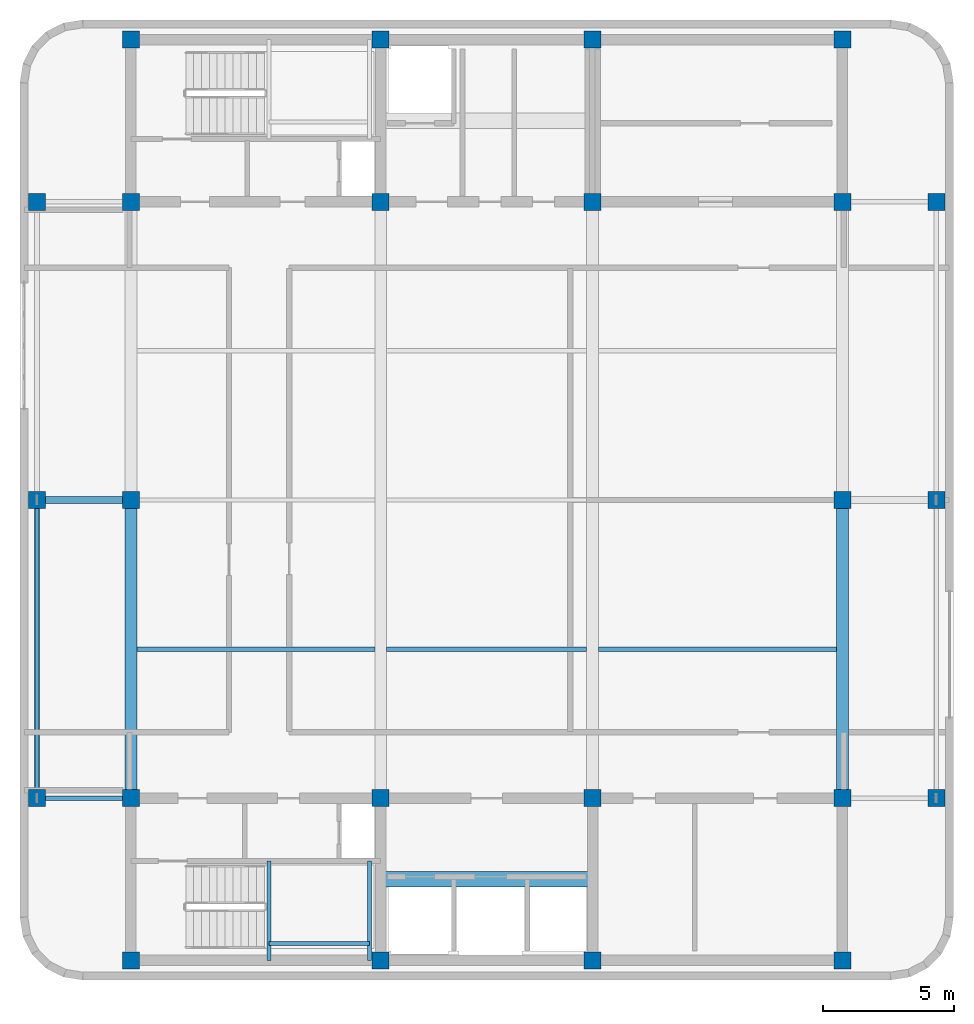
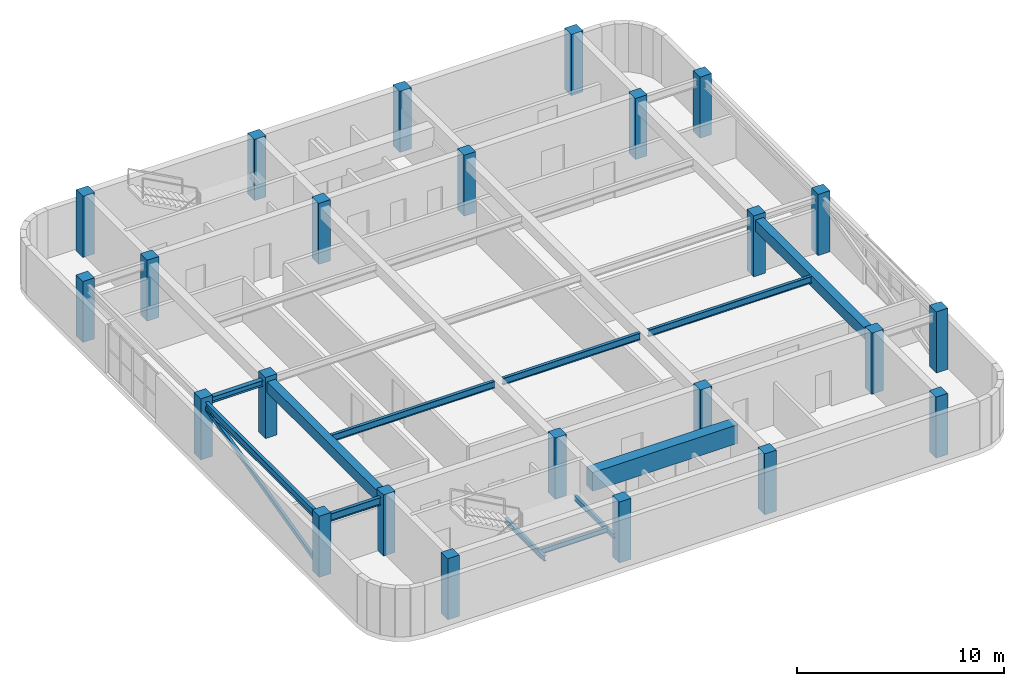
# One storey, part 1 of 9: 24 columns, 12 beams, 1 member.
"""IFC4 building model written with IfcOpenShell, lengths in metres."""

import ifcopenshell
import ifcopenshell.guid

model = None  # the IFC model being written
_history = None  # IfcOwnerHistory: only IFC2X3 demands one
_inside = {}  # id of a spatial element -> (the spatial element, [elements in it])
_under = {}  # id of a project, library or spatial element -> (it, [spatial elements below it])
_declared = {}  # id of a project -> (the project, [libraries it declares])
_typed = {}  # id of a type object -> (the type object, [elements of that type])
_made_of = {}  # id of a material, layer set ... -> (it, [elements and type objects made of it])


def new_model(schema):
    """Start an empty IFC model of exactly this schema.

    Asked for "IFC4X3", IfcOpenShell would pick the latest addendum, in which some entities
    have other attributes; the version numbers below select the first issue.
    IFC2X3 requires an IfcOwnerHistory on every rooted entity: one is made here for all.
    """
    global model, _history
    if schema == "IFC4X3":
        model = ifcopenshell.file(schema_version=(4, 3, 0, 0))
    else:
        model = ifcopenshell.file(schema=schema)
    _inside.clear()
    _under.clear()
    _declared.clear()
    _typed.clear()
    _made_of.clear()
    _history = None
    if model.schema == "IFC2X3":
        org = make("IfcOrganization", Name="unknown")
        user = make(
            "IfcPersonAndOrganization",
            ThePerson=make("IfcPerson", FamilyName="unknown"),
            TheOrganization=org,
        )
        app = make(
            "IfcApplication",
            ApplicationDeveloper=org,
            Version="unknown",
            ApplicationFullName="unknown",
            ApplicationIdentifier="unknown",
        )
        _history = make(
            "IfcOwnerHistory",
            OwningUser=user,
            OwningApplication=app,
            ChangeAction="ADDED",
            CreationDate=0,
        )
    return model


def make(cls, **values):
    """One entity of the class cls with the attributes given. An attribute that is None is left unset."""
    return model.create_entity(
        cls, **{name: value for name, value in values.items() if value is not None}
    )


def rooted(cls, **values):
    """An entity with a GlobalId (a new one), such as an element, a storey or a relation."""
    return make(cls, GlobalId=ifcopenshell.guid.new(), OwnerHistory=_history, **values)


def si_unit(unit_type, name, prefix=None):
    """IfcSIUnit, for example si_unit("LENGTHUNIT", "METRE", prefix="MILLI")."""
    return make("IfcSIUnit", UnitType=unit_type, Prefix=prefix, Name=name)


def assignment(units):
    """IfcUnitAssignment: the units of a project."""
    return None if units is None else make("IfcUnitAssignment", Units=units)


def point(xyz):
    """IfcCartesianPoint."""
    return None if xyz is None else make("IfcCartesianPoint", Coordinates=xyz)


def direction(xyz):
    """IfcDirection."""
    return None if xyz is None else make("IfcDirection", DirectionRatios=xyz)


def frame(location, z_axis=None, x_axis=None):
    """IfcAxis2Placement3D, a coordinate frame: its origin and axes. An axis left out is left unset."""
    return make(
        "IfcAxis2Placement3D",
        Location=point(location),
        Axis=direction(z_axis),
        RefDirection=direction(x_axis),
    )


def frame_2d(location, x_axis=None):
    """IfcAxis2Placement2D, a coordinate frame in the plane: its origin and x axis."""
    return make(
        "IfcAxis2Placement2D", Location=point(location), RefDirection=direction(x_axis)
    )


def origin():
    """The frame at (0, 0, 0) with its axes left unset."""
    return frame((0.0, 0.0, 0.0))


def origin_2d():
    """The frame at (0, 0) in the plane with its x axis left unset."""
    return frame_2d((0.0, 0.0))


def place(relative_to, where):
    """IfcLocalPlacement: puts the frame where relative to a parent placement (None: the world)."""
    return make(
        "IfcLocalPlacement", PlacementRelTo=relative_to, RelativePlacement=where
    )


def context(
    kind, dimensions, precision=None, world=None, true_north=None, identifier=None
):
    """IfcGeometricRepresentationContext, for example the 3D "Model" context."""
    return make(
        "IfcGeometricRepresentationContext",
        ContextIdentifier=identifier,
        ContextType=kind,
        CoordinateSpaceDimension=dimensions,
        Precision=precision,
        WorldCoordinateSystem=world,
        TrueNorth=true_north,
    )


def subcontext(parent, identifier, kind, view, scale=None):
    """IfcGeometricRepresentationSubContext, for example "Body" below "Model"."""
    return make(
        "IfcGeometricRepresentationSubContext",
        ContextIdentifier=identifier,
        ContextType=kind,
        ParentContext=parent,
        TargetScale=scale,
        TargetView=view,
    )


def project(units=None, contexts=None):
    """IfcProject with its units and contexts."""
    return rooted(
        "IfcProject",
        Name="project",
        RepresentationContexts=contexts,
        UnitsInContext=assignment(units),
    )


def spatial(cls, under=None, at=None, **own):
    """A site, building, storey or space (cls), placed at a placement, below another one or the project."""
    s = rooted(cls, ObjectPlacement=at, **own)
    if under is not None:
        _under.setdefault(under.id(), (under, []))[1].append(s)
    return s


def profile(cls, at=None, kind="AREA", **sizes):
    """A parametric profile (cls). Its sizes go by their IFC names, for example OverallWidth=200.0."""
    return make(cls, ProfileType=kind, Position=at, **sizes)


def rectangle(**sizes):
    """IfcRectangleProfileDef."""
    return profile("IfcRectangleProfileDef", **sizes)


def hollow_rectangle(**sizes):
    """IfcRectangleHollowProfileDef."""
    return profile("IfcRectangleHollowProfileDef", **sizes)


def i_section(**sizes):
    """IfcIShapeProfileDef."""
    return profile("IfcIShapeProfileDef", **sizes)


def extrude(swept, where, along, depth):
    """IfcExtrudedAreaSolid: the profile swept, set in the frame where, extruded along a direction by depth."""
    return make(
        "IfcExtrudedAreaSolid",
        SweptArea=swept,
        Position=where,
        ExtrudedDirection=direction(along),
        Depth=depth,
    )


def shape(context_of_items, identifier, shape_type, items):
    """IfcShapeRepresentation: the items that make up one representation, for example the "Body"."""
    return make(
        "IfcShapeRepresentation",
        ContextOfItems=context_of_items,
        RepresentationIdentifier=identifier,
        RepresentationType=shape_type,
        Items=items,
    )


def material(Name=None, Category=None):
    """IfcMaterial."""
    return make("IfcMaterial", Name=Name, Category=Category)


def material_profile(
    of_material, cross_section, Name=None, Category=None, Priority=None
):
    """IfcMaterialProfile: a cross section and its material."""
    return make(
        "IfcMaterialProfile",
        Name=Name,
        Material=of_material,
        Profile=cross_section,
        Priority=Priority,
        Category=Category,
    )


def profile_set(profiles, Name=None, composite=None):
    """IfcMaterialProfileSet."""
    return make(
        "IfcMaterialProfileSet",
        Name=Name,
        MaterialProfiles=profiles,
        CompositeProfile=composite,
    )


def made_of(thing, what):
    """Note that an element or type object is made of a material, layer set ...; save() writes the relation."""
    if what is not None:
        _made_of.setdefault(what.id(), (what, []))[1].append(thing)
    return thing


def type_object(cls, material=None, **own):
    """A type object (cls), such as IfcWallType, which elements share."""
    return made_of(rooted(cls, **own), material)


def element(
    cls,
    number,
    at=None,
    inside=None,
    cuts=None,
    type_object=None,
    material=None,
    context=None,
    identifier="Body",
    shape_type=None,
    held_by="IfcProductDefinitionShape",
    body=None,
    shapes=None,
    **own,
):
    """One element of the class cls, such as IfcWall. Its Tag is "e" and its number.

    at: its placement. inside: the storey or other place that contains it. cuts: it is an
    opening in that element (IfcRelVoidsElement). A single representation is given by context,
    identifier, shape_type and body (its items); several are given by shapes. held_by: the class
    of the entity that holds the representations. save() writes the other relations.
    """
    e = rooted(cls, Tag="e%d" % number, ObjectPlacement=at, **own)
    if body is not None:
        shapes = [shape(context, identifier, shape_type, body)]
    if shapes is not None:
        e.Representation = make(held_by, Representations=shapes)
    if inside is not None:
        _inside.setdefault(inside.id(), (inside, []))[1].append(e)
    if cuts is not None:
        rooted(
            "IfcRelVoidsElement", RelatingBuildingElement=cuts, RelatedOpeningElement=e
        )
    if type_object is not None:
        _typed.setdefault(type_object.id(), (type_object, []))[1].append(e)
    return made_of(e, material)


def aggregate(whole, parts):
    """IfcRelAggregates: a whole, such as a stair, and the parts it consists of."""
    return rooted("IfcRelAggregates", RelatingObject=whole, RelatedObjects=parts)


def save(model, path):
    """Write the relations noted so far, then the file.

    IfcRelAggregates (storeys below a building ...), IfcRelContainedInSpatialStructure (elements
    in a storey), IfcRelDefinesByType, IfcRelAssociatesMaterial and IfcRelDeclares: one each for
    every whole, place, type object, material and project.
    """
    for whole, parts in _under.values():
        aggregate(whole, parts)
    for where, things in _inside.values():
        rooted(
            "IfcRelContainedInSpatialStructure",
            RelatedElements=things,
            RelatingStructure=where,
        )
    for kind, things in _typed.values():
        rooted("IfcRelDefinesByType", RelatedObjects=things, RelatingType=kind)
    for what, things in _made_of.values():
        rooted("IfcRelAssociatesMaterial", RelatedObjects=things, RelatingMaterial=what)
    for by, libraries in _declared.values():
        rooted("IfcRelDeclares", RelatingContext=by, RelatedDefinitions=libraries)
    model.write(path)


model = new_model("IFC4")

# Units and contexts
model_context = context("Model", 3, precision=1e-05, world=origin(), true_north=direction((0.0, 1.0)))
body_context = subcontext(model_context, "Body", "Model", "MODEL_VIEW")
ifc_project = project(units=[si_unit("LENGTHUNIT", "METRE"), si_unit("AREAUNIT", "SQUARE_METRE"), si_unit("VOLUMEUNIT", "CUBIC_METRE"), si_unit("PLANEANGLEUNIT", "RADIAN"), si_unit("MASSUNIT", "GRAM", prefix="KILO")], contexts=[model_context])

# Site, building, storey
site_placement = place(None, origin())
site = spatial("IfcSite", under=ifc_project, at=site_placement, CompositionType="ELEMENT")
building_placement = place(site_placement, origin())
building = spatial("IfcBuilding", under=site, at=building_placement, Name="Svetorya Sky Lyceum", CompositionType="ELEMENT")
storey_placement = place(building_placement, frame((0.0, 0.0, 312.800048828125)))
storey = spatial("IfcBuildingStorey", under=building, at=storey_placement, Name="C04", CompositionType="ELEMENT", Elevation=312.800048828125)

# Columns
ifc_material_1 = material(Name="Concrete C40/50", Category="concrete")
ifc_material_profile_1 = material_profile(ifc_material_1, rectangle(XDim=0.64990234375, YDim=0.64990234375, at=origin_2d()), Name="RC COL 650x650")
ifc_profile_set_1 = profile_set([ifc_material_profile_1], Name="Concrete C40/50")
column_type = type_object("IfcColumnType", Name="COL-RC-650", PredefinedType="COLUMN", material=ifc_profile_set_1)
for number, where, z_axis, x_axis, name in (
    (1, (25.60009765625, 10.60009765625, 0.0), (0.0, 0.0, 1.0), (1.0, 0.0, 0.0), "C04 Core Column CS-11"),
    (2, (25.60009765625, 16.800048828125, 0.0), (0.0, 0.0, 1.0), (1.0, 0.0, 0.0), "C04 Core Column CS-12"),
    (3, (35.14990234375, 10.60009765625, 0.0), (0.0, 0.0, 1.0), (1.0, 0.0, 0.0), "C04 Core Column CS-21"),
    (4, (35.14990234375, 16.800048828125, 0.0), (0.0, 0.0, 1.0), (1.0, 0.0, 0.0), "C04 Core Column CS-22"),
    (5, (43.25, 10.60009765625, 0.0), (0.0, 0.0, 1.0), (1.0, 0.0, 0.0), "C04 Core Column CS-31"),
    (6, (43.25, 16.800048828125, 0.0), (0.0, 0.0, 1.0), (1.0, 0.0, 0.0), "C04 Core Column CS-32"),
    (7, (52.800048828125, 10.60009765625, 0.0), (0.0, 0.0, 1.0), (1.0, 0.0, 0.0), "C04 Core Column CS-41"),
    (8, (52.800048828125, 16.800048828125, 0.0), (0.0, 0.0, 1.0), (1.0, 0.0, 0.0), "C04 Core Column CS-42"),
    (9, (25.60009765625, 39.60009765625, 0.0), (0.0, 0.0, 1.0), (1.0, 0.0, 0.0), "C04 Core Column CN-11"),
    (10, (25.60009765625, 45.800048828125, 0.0), (0.0, 0.0, 1.0), (1.0, 0.0, 0.0), "C04 Core Column CN-12"),
    (11, (35.14990234375, 39.60009765625, 0.0), (0.0, 0.0, 1.0), (1.0, 0.0, 0.0), "C04 Core Column CN-21"),
    (12, (35.14990234375, 45.800048828125, 0.0), (0.0, 0.0, 1.0), (1.0, 0.0, 0.0), "C04 Core Column CN-22"),
    (13, (43.25, 39.60009765625, 0.0), (0.0, 0.0, 1.0), (1.0, 0.0, 0.0), "C04 Core Column CN-31"),
    (14, (43.25, 45.800048828125, 0.0), (0.0, 0.0, 1.0), (1.0, 0.0, 0.0), "C04 Core Column CN-32"),
    (15, (52.800048828125, 39.60009765625, 0.0), (0.0, 0.0, 1.0), (1.0, 0.0, 0.0), "C04 Core Column CN-41"),
    (16, (52.800048828125, 45.800048828125, 0.0), (0.0, 0.0, 1.0), (1.0, 0.0, 0.0), "C04 Core Column CN-42"),
    (17, (25.60009765625, 28.199951171875, 0.0), (0.0, 0.0, 1.0), (1.0, 0.0, 0.0), "C04 Core Column CM-W"),
    (18, (52.800048828125, 28.199951171875, 0.0), (0.0, 0.0, 1.0), (1.0, 0.0, 0.0), "C04 Core Column CM-E"),
    (19, (22.010009765625, 16.800048828125, 0.0), (0.0, 0.0, 1.0), (1.0, 0.0, 0.0), "C04 Perimeter Column W1"),
    (20, (56.389892578125, 16.800048828125, 0.0), (0.0, 0.0, 1.0), (1.0, 0.0, 0.0), "C04 Perimeter Column E1"),
    (21, (22.010009765625, 28.199951171875, 0.0), (0.0, 0.0, 1.0), (1.0, 0.0, 0.0), "C04 Perimeter Column W2"),
    (22, (56.389892578125, 28.199951171875, 0.0), (0.0, 0.0, 1.0), (1.0, 0.0, 0.0), "C04 Perimeter Column E2"),
    (23, (22.010009765625, 39.60009765625, 0.0), (0.0, 0.0, 1.0), (1.0, 0.0, 0.0), "C04 Perimeter Column W3"),
    (24, (56.389892578125, 39.60009765625, 0.0), (0.0, 0.0, 1.0), (1.0, 0.0, 0.0), "C04 Perimeter Column E3"),
):
    element("IfcColumn", number, at=place(storey_placement, frame(where, z_axis=z_axis, x_axis=x_axis)), inside=storey, type_object=column_type, Name=name, PredefinedType="COLUMN", context=body_context, shape_type="SweptSolid", body=[
        extrude(rectangle(XDim=0.64990234375, YDim=0.64990234375, at=origin_2d()), origin(), (0.0, 0.0, 1.0), 3.599853515625),
    ])

# Beams
ifc_material_2 = material(Name="Concrete C60/75", Category="concrete")
ifc_material_profile_2 = material_profile(ifc_material_2, rectangle(XDim=0.60009765625, YDim=1.10009765625, at=origin_2d()), Name="RC COUPLING 600x1100")
ifc_profile_set_2 = profile_set([ifc_material_profile_2], Name="Concrete C60/75")
beam_type_1 = type_object("IfcBeamType", Name="BM-CPL-1100", PredefinedType="LINTEL", material=ifc_profile_set_2)
beam_1_placement = place(storey_placement, frame((35.14990234375, 13.699951171875, 2.77001953125), z_axis=(1.0, 0.0, 0.0), x_axis=(0.0, 1.0, 0.0)))
element("IfcBeam", 25, at=beam_1_placement, inside=storey, type_object=beam_type_1, Name="C04 SC Core Coupling Beam", PredefinedType="LINTEL", context=body_context, shape_type="SweptSolid", body=[
    extrude(rectangle(XDim=0.60009765625, YDim=1.10009765625, at=origin_2d()), origin(), (0.0, 0.0, 1.0), 8.10009765625),
])
ifc_material_profile_3 = material_profile(ifc_material_1, rectangle(XDim=0.449951171875, YDim=0.64990234375, at=origin_2d()), Name="RC BEAM 450x650")
ifc_profile_set_3 = profile_set([ifc_material_profile_3], Name="Concrete C40/50")
beam_type_2 = type_object("IfcBeamType", Name="BM-RC-650", PredefinedType="BEAM", material=ifc_profile_set_3)
for number, where, z_axis, x_axis, name in (
    (26, (25.60009765625, 16.800048828125, 2.994873046875), (0.0, 1.0, 0.0), (-1.0, 0.0, 0.0), "C04 Central Bay Primary Girder CG-1A"),
    (27, (52.800048828125, 16.800048828125, 2.994873046875), (0.0, 1.0, 0.0), (-1.0, 0.0, 0.0), "C04 Central Bay Primary Girder CG-4A"),
):
    element("IfcBeam", number, at=place(storey_placement, frame(where, z_axis=z_axis, x_axis=x_axis)), inside=storey, type_object=beam_type_2, Name=name, PredefinedType="BEAM", context=body_context, shape_type="SweptSolid", body=[
        extrude(rectangle(XDim=0.449951171875, YDim=0.64990234375, at=origin_2d()), origin(), (0.0, 0.0, 1.0), 11.39990234375),
    ])
ifc_material_3 = material(Name="Steel S355", Category="steel")
ifc_material_profile_4 = material_profile(ifc_material_3, i_section(OverallWidth=0.14990234375, OverallDepth=0.299072265625, WebThickness=0.006591796875, FlangeThickness=0.010498046875, at=origin_2d()), Name="GOST 30B2")
ifc_profile_set_4 = profile_set([ifc_material_profile_4], Name="Steel S355")
beam_type_3 = type_object("IfcBeamType", Name="BM-STL-30B2", PredefinedType="JOIST", material=ifc_profile_set_4)
for number, where, z_axis, x_axis, name in (
    (28, (30.8798828125, 10.60009765625, 1.450439453125), (0.0, 1.0, 0.0), (-1.0, 0.0, 0.0), "C04 Stair ST-S Half-Landing Support Beam 87.1"),
    (29, (34.719970703125, 10.60009765625, 1.450439453125), (0.0, 1.0, 0.0), (-1.0, 0.0, 0.0), "C04 Stair ST-S Half-Landing Support Beam 87.2"),
):
    element("IfcBeam", number, at=place(storey_placement, frame(where, z_axis=z_axis, x_axis=x_axis)), inside=storey, type_object=beam_type_3, Name=name, PredefinedType="JOIST", context=body_context, shape_type="SweptSolid", body=[
        extrude(i_section(OverallWidth=0.14990234375, OverallDepth=0.299072265625, WebThickness=0.006591796875, FlangeThickness=0.010498046875, at=origin_2d()), origin(), (0.0, 0.0, 1.0), 3.7998046875),
    ])
beam_2_placement = place(storey_placement, frame((30.8798828125, 11.25, 1.450439453125), z_axis=(1.0, 0.0, 0.0), x_axis=(0.0, 1.0, 0.0)))
element("IfcBeam", 30, at=beam_2_placement, inside=storey, type_object=beam_type_3, Name="C04 Stair ST-S Half-Landing Cross Tie 87", PredefinedType="JOIST", context=body_context, shape_type="SweptSolid", body=[
    extrude(i_section(OverallWidth=0.14990234375, OverallDepth=0.299072265625, WebThickness=0.006591796875, FlangeThickness=0.010498046875, at=origin_2d()), origin(), (0.0, 0.0, 1.0), 3.840087890625),
])
ifc_material_profile_5 = material_profile(ifc_material_3, i_section(OverallWidth=0.25, OverallDepth=0.345947265625, WebThickness=0.009521484375, FlangeThickness=0.014404296875, at=origin_2d()), Name="GOST 35Sh2")
ifc_profile_set_5 = profile_set([ifc_material_profile_5], Name="Steel S355")
beam_type_4 = type_object("IfcBeamType", Name="BM-STL-35SH2", PredefinedType="BEAM", material=ifc_profile_set_5)
beam_3_placement = place(storey_placement, frame((22.010009765625, 28.199951171875, 3.14697265625), z_axis=(1.0, 0.0, 0.0), x_axis=(0.0, 1.0, 0.0)))
element("IfcBeam", 31, at=beam_3_placement, inside=storey, type_object=beam_type_4, Name="C04 West Wing Floor Joist W2", PredefinedType="BEAM", context=body_context, shape_type="SweptSolid", body=[
    extrude(i_section(OverallWidth=0.25, OverallDepth=0.345947265625, WebThickness=0.009521484375, FlangeThickness=0.014404296875, at=origin_2d()), origin(), (0.0, 0.0, 1.0), 3.590087890625),
])
ifc_material_profile_6 = material_profile(ifc_material_3, i_section(OverallWidth=0.1650390625, OverallDepth=0.39990234375, WebThickness=0.008056640625, FlangeThickness=0.012939453125, at=origin_2d()), Name="GOST 40B2")
ifc_profile_set_6 = profile_set([ifc_material_profile_6], Name="Steel S355")
beam_type_5 = type_object("IfcBeamType", Name="BM-STL-40B2", PredefinedType="JOIST", material=ifc_profile_set_6)
beam_4_placement = place(storey_placement, frame((25.824951171875, 22.5, 3.119873046875), z_axis=(1.0, 0.0, 0.0), x_axis=(0.0, 1.0, 0.0)))
element("IfcBeam", 32, at=beam_4_placement, inside=storey, type_object=beam_type_5, Name="C04 Central Floor Joist CJ-1.1", PredefinedType="JOIST", context=body_context, shape_type="SweptSolid", body=[
    extrude(i_section(OverallWidth=0.1650390625, OverallDepth=0.39990234375, WebThickness=0.008056640625, FlangeThickness=0.012939453125, at=origin_2d()), origin(), (0.0, 0.0, 1.0), 9.10009765625),
])
beam_5_placement = place(storey_placement, frame((35.375, 22.5, 3.119873046875), z_axis=(1.0, 0.0, 0.0), x_axis=(0.0, 1.0, 0.0)))
element("IfcBeam", 33, at=beam_5_placement, inside=storey, type_object=beam_type_5, Name="C04 Central Floor Joist CJ-1.2", PredefinedType="JOIST", context=body_context, shape_type="SweptSolid", body=[
    extrude(i_section(OverallWidth=0.1650390625, OverallDepth=0.39990234375, WebThickness=0.008056640625, FlangeThickness=0.012939453125, at=origin_2d()), origin(), (0.0, 0.0, 1.0), 7.64990234375),
])
beam_6_placement = place(storey_placement, frame((43.47509765625, 22.5, 3.119873046875), z_axis=(1.0, 0.0, 0.0), x_axis=(0.0, 1.0, 0.0)))
element("IfcBeam", 34, at=beam_6_placement, inside=storey, type_object=beam_type_5, Name="C04 Central Floor Joist CJ-1.3", PredefinedType="JOIST", context=body_context, shape_type="SweptSolid", body=[
    extrude(i_section(OverallWidth=0.1650390625, OverallDepth=0.39990234375, WebThickness=0.008056640625, FlangeThickness=0.012939453125, at=origin_2d()), origin(), (0.0, 0.0, 1.0), 9.099853515625),
])
ifc_material_profile_7 = material_profile(ifc_material_3, i_section(OverallWidth=0.179931640625, OverallDepth=0.449951171875, WebThickness=0.009033203125, FlangeThickness=0.014404296875, at=origin_2d()), Name="GOST 45B2")
ifc_profile_set_7 = profile_set([ifc_material_profile_7], Name="Steel S355")
beam_type_6 = type_object("IfcBeamType", Name="BM-STL-45B2", PredefinedType="SPANDREL", material=ifc_profile_set_7)
beam_7_placement = place(storey_placement, frame((22.010009765625, 16.800048828125, 3.094970703125), z_axis=(1.0, 0.0, 0.0), x_axis=(0.0, 1.0, 0.0)))
element("IfcBeam", 35, at=beam_7_placement, inside=storey, type_object=beam_type_6, Name="C04 Tie Spandrel SW", PredefinedType="SPANDREL", context=body_context, shape_type="SweptSolid", body=[
    extrude(i_section(OverallWidth=0.179931640625, OverallDepth=0.449951171875, WebThickness=0.009033203125, FlangeThickness=0.014404296875, at=origin_2d()), origin(), (0.0, 0.0, 1.0), 3.590087890625),
])
beam_8_placement = place(storey_placement, frame((22.010009765625, 16.800048828125, 3.094970703125), z_axis=(0.0, 1.0, 0.0), x_axis=(-1.0, 0.0, 0.0)))
element("IfcBeam", 36, at=beam_8_placement, inside=storey, type_object=beam_type_6, Name="C04 West Spandrel 1", PredefinedType="SPANDREL", context=body_context, shape_type="SweptSolid", body=[
    extrude(i_section(OverallWidth=0.179931640625, OverallDepth=0.449951171875, WebThickness=0.009033203125, FlangeThickness=0.014404296875, at=origin_2d()), origin(), (0.0, 0.0, 1.0), 11.39990234375),
])

# Member
ifc_material_profile_8 = material_profile(ifc_material_3, hollow_rectangle(XDim=0.14990234375, YDim=0.25, WallThickness=0.010009765625, at=origin_2d()), Name="RHS 250x150x10")
ifc_profile_set_8 = profile_set([ifc_material_profile_8], Name="Steel S355")
member_type = type_object("IfcMemberType", Name="MB-BRC-RHS250", PredefinedType="BRACE", material=ifc_profile_set_8)
member_placement = place(storey_placement, frame((22.010009765625, 16.800048828125, 0.25), z_axis=(0.0, 0.971724925391, 0.236115796537), x_axis=(-1.0, 0.0, 0.0)))
element("IfcMember", 37, at=member_placement, inside=storey, type_object=member_type, Name="C04 Crown Perimeter Frame Brace W", PredefinedType="BRACE", context=body_context, shape_type="SweptSolid", body=[
    extrude(hollow_rectangle(XDim=0.14990234375, YDim=0.25, WallThickness=0.010009765625, at=origin_2d()), origin(), (0.0, 0.0, 1.0), 11.731689453125),
])

save(model, "model.ifc")
